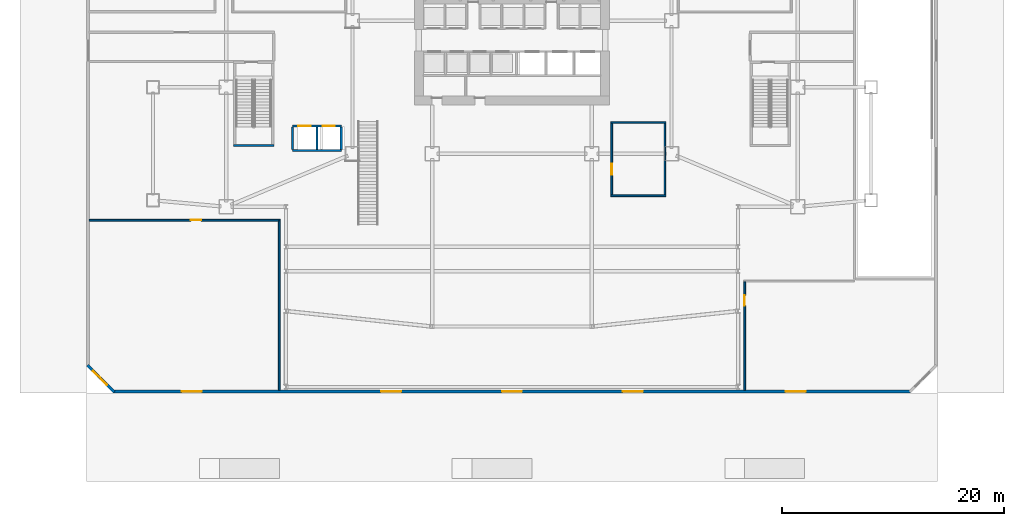
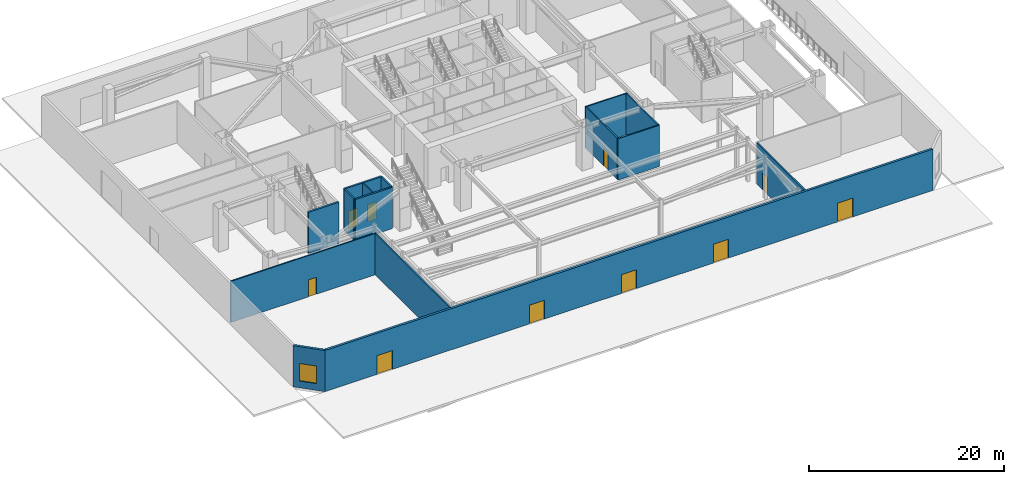
# One storey, part 9 of 20: 15 walls, 10 doors, 1 window, 11 openings.
"""IFC4 building model written with IfcOpenShell, lengths in metres."""

from ifc_helpers import new_model, si_unit, direction, frame, frame_2d, origin, place, context, subcontext, project, spatial, rectangle, extrude, material, layer, layer_set, type_object, element, fill, save


model = new_model("IFC4")

# Units and contexts
model_context = context("Model", 3, precision=1e-05, world=origin(), true_north=direction((0.0, 1.0)))
body_context = subcontext(model_context, "Body", "Model", "MODEL_VIEW")
ifc_project = project(units=[si_unit("LENGTHUNIT", "METRE"), si_unit("AREAUNIT", "SQUARE_METRE"), si_unit("VOLUMEUNIT", "CUBIC_METRE"), si_unit("PLANEANGLEUNIT", "RADIAN"), si_unit("MASSUNIT", "GRAM", prefix="KILO")], contexts=[model_context])

# Site, building, storey
site_placement = place(None, origin())
site = spatial("IfcSite", under=ifc_project, at=site_placement, CompositionType="ELEMENT")
building_placement = place(site_placement, origin())
building = spatial("IfcBuilding", under=site, at=building_placement, Name="Haolan Belvedere Tower", CompositionType="ELEMENT")
storey_placement = place(building_placement, origin())
storey = spatial("IfcBuildingStorey", under=building, at=storey_placement, Name="L00", CompositionType="ELEMENT", Elevation=0.0)

# Wall, opening, window
ifc_material_1 = material(Name="Precast concrete C40/50", Category="concrete")
ifc_layer_1 = layer(ifc_material_1, 0.260009765625, Name="Precast concrete C40/50")
ifc_layer_set_1 = layer_set([ifc_layer_1], Name="Precast concrete C40/50")
wall_type_1 = type_object("IfcWallType", Name="WL-EXT-260", PredefinedType="SOLIDWALL", material=ifc_layer_set_1)
wall_1_placement = place(storey_placement, frame((0.091064453125, 2.49267578125, 0.0), z_axis=(0.0, 0.0, 1.0), x_axis=(0.707106781187, -0.707106781187, 0.0)))
wall_1 = element("IfcWall", 1, at=wall_1_placement, inside=storey, type_object=wall_type_1, Name="L00 pale-metal exterior spandrel wall 5.1", PredefinedType="SOLIDWALL", context=body_context, shape_type="SweptSolid", body=[
    extrude(rectangle(XDim=3.396484375, YDim=0.260009765625, at=frame_2d((1.6982421875, 0.0))), origin(), (0.0, 0.0, 1.0), 5.159912109375),
])
opening_1_placement = place(wall_1_placement, frame((0.699951171875, 0.0, 0.85009765625)))
opening_1 = element("IfcOpeningElement", 2, at=opening_1_placement, cuts=wall_1, Name="Opening W-05", PredefinedType="OPENING", context=body_context, shape_type="SweptSolid", body=[
    extrude(rectangle(XDim=1.800048828125, YDim=2.199951171875, at=frame_2d((0.89990234375, 1.10009765625))), frame((0.0, 0.139892578125, 0.0), z_axis=(0.0, -1.0, 0.0), x_axis=(1.0, 0.0, 0.0)), (0.0, 0.0, 1.0), 0.280029296875),
])
ifc_material_2 = material(Name="Anodised aluminium 6063-T6 and Low-E glass", Category="aluminium")
window_type = type_object("IfcWindowType", Name="WN-POD-210", PartitioningType="SINGLE_PANEL", PredefinedType="WINDOW", material=ifc_material_2)
window_placement = place(opening_1_placement, origin())
window = element("IfcWindow", 3, at=window_placement, inside=storey, type_object=window_type, Name="L00 Art Deco chevron window 1", OverallHeight=2.199951171875, OverallWidth=1.800048828125, PartitioningType="SINGLE_PANEL", PredefinedType="WINDOW", context=body_context, shape_type="SweptSolid", body=[
    extrude(rectangle(XDim=1.800048828125, YDim=2.199951171875, at=frame_2d((0.89990234375, 1.10009765625))), frame((0.0, 0.030029296875, 0.0), z_axis=(0.0, -1.0, 0.0), x_axis=(1.0, 0.0, 0.0)), (0.0, 0.0, 1.0), 0.06005859375),
])
fill(opening_1, window)

# Wall, openings, doors
wall_2_placement = place(storey_placement, frame((2.398681640625, 0.1298828125, 0.0), z_axis=(0.0, 0.0, 1.0), x_axis=(1.0, 0.0, 0.0)))
wall_2 = element("IfcWall", 4, at=wall_2_placement, inside=storey, type_object=wall_type_1, Name="L00 pale-metal exterior spandrel wall 6.1", PredefinedType="SOLIDWALL", context=body_context, shape_type="SweptSolid", body=[
    extrude(rectangle(XDim=72.00244140625, YDim=0.260009765625, at=frame_2d((36.001220703125, 0.0))), origin(), (0.0, 0.0, 1.0), 5.159912109375),
])
opening_2_placement = place(wall_2_placement, frame((26.001220703125, 0.0, 0.0), z_axis=(0.0, 0.0, 1.0), x_axis=(-1.0, 0.0, 0.0)))
opening_2 = element("IfcOpeningElement", 5, at=opening_2_placement, cuts=wall_2, Name="Opening ED-01", PredefinedType="OPENING", context=body_context, shape_type="SweptSolid", body=[
    extrude(rectangle(XDim=1.800048828125, YDim=2.35009765625, at=frame_2d((0.89990234375, 1.175048828125))), frame((0.0, 0.139892578125, 0.0), z_axis=(0.0, -1.0, 0.0), x_axis=(1.0, 0.0, 0.0)), (0.0, 0.0, 1.0), 0.280029296875),
])
opening_3_placement = place(wall_2_placement, frame((36.9013671875, 0.0, 0.0), z_axis=(0.0, 0.0, 1.0), x_axis=(-1.0, 0.0, 0.0)))
opening_3 = element("IfcOpeningElement", 6, at=opening_3_placement, cuts=wall_2, Name="Opening ED-01", PredefinedType="OPENING", context=body_context, shape_type="SweptSolid", body=[
    extrude(rectangle(XDim=1.800048828125, YDim=2.35009765625, at=frame_2d((0.89990234375, 1.175048828125))), frame((0.0, 0.139892578125, 0.0), z_axis=(0.0, -1.0, 0.0), x_axis=(1.0, 0.0, 0.0)), (0.0, 0.0, 1.0), 0.280029296875),
])
opening_4_placement = place(wall_2_placement, frame((47.80126953125, 0.0, 0.0), z_axis=(0.0, 0.0, 1.0), x_axis=(-1.0, 0.0, 0.0)))
opening_4 = element("IfcOpeningElement", 7, at=opening_4_placement, cuts=wall_2, Name="Opening ED-01", PredefinedType="OPENING", context=body_context, shape_type="SweptSolid", body=[
    extrude(rectangle(XDim=1.800048828125, YDim=2.35009765625, at=frame_2d((0.89990234375, 1.175048828125))), frame((0.0, 0.139892578125, 0.0), z_axis=(0.0, -1.0, 0.0), x_axis=(1.0, 0.0, 0.0)), (0.0, 0.0, 1.0), 0.280029296875),
])
opening_5_placement = place(wall_2_placement, frame((8.001220703125, 0.0, 0.0), z_axis=(0.0, 0.0, 1.0), x_axis=(-1.0, 0.0, 0.0)))
opening_5 = element("IfcOpeningElement", 8, at=opening_5_placement, cuts=wall_2, Name="Opening ED-01", PredefinedType="OPENING", context=body_context, shape_type="SweptSolid", body=[
    extrude(rectangle(XDim=1.800048828125, YDim=2.35009765625, at=frame_2d((0.89990234375, 1.175048828125))), frame((0.0, 0.139892578125, 0.0), z_axis=(0.0, -1.0, 0.0), x_axis=(1.0, 0.0, 0.0)), (0.0, 0.0, 1.0), 0.280029296875),
])
opening_6_placement = place(wall_2_placement, frame((62.501220703125, 0.0, 0.0), z_axis=(0.0, 0.0, 1.0), x_axis=(-1.0, 0.0, 0.0)))
opening_6 = element("IfcOpeningElement", 9, at=opening_6_placement, cuts=wall_2, Name="Opening ED-01", PredefinedType="OPENING", context=body_context, shape_type="SweptSolid", body=[
    extrude(rectangle(XDim=1.800048828125, YDim=2.35009765625, at=frame_2d((0.89990234375, 1.175048828125))), frame((0.0, 0.139892578125, 0.0), z_axis=(0.0, -1.0, 0.0), x_axis=(1.0, 0.0, 0.0)), (0.0, 0.0, 1.0), 0.280029296875),
])
ifc_material_3 = material(Name="Anodised aluminium and tempered glass", Category="aluminium")
door_type_1 = type_object("IfcDoorType", Name="DR-EXT-EXIT-1800", OperationType="DOUBLE_DOOR_SINGLE_SWING", PredefinedType="DOOR", material=ifc_material_3)
door_1_placement = place(opening_2_placement, origin())
door_1 = element("IfcDoor", 10, at=door_1_placement, inside=storey, type_object=door_type_1, Name="L00 main south exit door 1", OperationType="DOUBLE_DOOR_SINGLE_SWING", OverallHeight=2.35009765625, OverallWidth=1.800048828125, PredefinedType="DOOR", context=body_context, shape_type="SweptSolid", body=[
    extrude(rectangle(XDim=1.800048828125, YDim=2.35009765625, at=frame_2d((0.89990234375, 1.175048828125))), frame((0.0, 0.02490234375, 0.0), z_axis=(0.0, -1.0, 0.0), x_axis=(1.0, 0.0, 0.0)), (0.0, 0.0, 1.0), 0.050048828125),
])
fill(opening_2, door_1)
door_2_placement = place(opening_3_placement, origin())
door_2 = element("IfcDoor", 11, at=door_2_placement, inside=storey, type_object=door_type_1, Name="L00 main south exit door 2", OperationType="DOUBLE_DOOR_SINGLE_SWING", OverallHeight=2.35009765625, OverallWidth=1.800048828125, PredefinedType="DOOR", context=body_context, shape_type="SweptSolid", body=[
    extrude(rectangle(XDim=1.800048828125, YDim=2.35009765625, at=frame_2d((0.89990234375, 1.175048828125))), frame((0.0, 0.02490234375, 0.0), z_axis=(0.0, -1.0, 0.0), x_axis=(1.0, 0.0, 0.0)), (0.0, 0.0, 1.0), 0.050048828125),
])
fill(opening_3, door_2)
door_3_placement = place(opening_4_placement, origin())
door_3 = element("IfcDoor", 12, at=door_3_placement, inside=storey, type_object=door_type_1, Name="L00 main south exit door 3", OperationType="DOUBLE_DOOR_SINGLE_SWING", OverallHeight=2.35009765625, OverallWidth=1.800048828125, PredefinedType="DOOR", context=body_context, shape_type="SweptSolid", body=[
    extrude(rectangle(XDim=1.800048828125, YDim=2.35009765625, at=frame_2d((0.89990234375, 1.175048828125))), frame((0.0, 0.02490234375, 0.0), z_axis=(0.0, -1.0, 0.0), x_axis=(1.0, 0.0, 0.0)), (0.0, 0.0, 1.0), 0.050048828125),
])
fill(opening_4, door_3)
door_4_placement = place(opening_5_placement, origin())
door_4 = element("IfcDoor", 13, at=door_4_placement, inside=storey, type_object=door_type_1, Name="L00 west retail final exit door", OperationType="DOUBLE_DOOR_SINGLE_SWING", OverallHeight=2.35009765625, OverallWidth=1.800048828125, PredefinedType="DOOR", context=body_context, shape_type="SweptSolid", body=[
    extrude(rectangle(XDim=1.800048828125, YDim=2.35009765625, at=frame_2d((0.89990234375, 1.175048828125))), frame((0.0, 0.02490234375, 0.0), z_axis=(0.0, -1.0, 0.0), x_axis=(1.0, 0.0, 0.0)), (0.0, 0.0, 1.0), 0.050048828125),
])
fill(opening_5, door_4)
door_5_placement = place(opening_6_placement, origin())
door_5 = element("IfcDoor", 14, at=door_5_placement, inside=storey, type_object=door_type_1, Name="L00 east retail final exit door", OperationType="DOUBLE_DOOR_SINGLE_SWING", OverallHeight=2.35009765625, OverallWidth=1.800048828125, PredefinedType="DOOR", context=body_context, shape_type="SweptSolid", body=[
    extrude(rectangle(XDim=1.800048828125, YDim=2.35009765625, at=frame_2d((0.89990234375, 1.175048828125))), frame((0.0, 0.02490234375, 0.0), z_axis=(0.0, -1.0, 0.0), x_axis=(1.0, 0.0, 0.0)), (0.0, 0.0, 1.0), 0.050048828125),
])
fill(opening_6, door_5)

# Wall, opening, door
ifc_material_4 = material(Name="Double gypsum acoustic stud partition", Category="masonry")
ifc_layer_2 = layer(ifc_material_4, 0.14990234375, Name="Double gypsum acoustic stud partition")
ifc_layer_set_2 = layer_set([ifc_layer_2], Name="Double gypsum acoustic stud partition")
wall_type_2 = type_object("IfcWallType", Name="WL-PART-150", PredefinedType="PARTITIONING", material=ifc_layer_set_2)
wall_3_placement = place(storey_placement, frame((0.2451171875, 15.60009765625, 0.0), z_axis=(0.0, 0.0, 1.0), x_axis=(1.0, 0.0, 0.0)))
wall_3 = element("IfcWall", 15, at=wall_3_placement, inside=storey, type_object=wall_type_2, Name="L00 interior partition IW-L00-RET-W-N", PredefinedType="PARTITIONING", context=body_context, shape_type="SweptSolid", body=[
    extrude(rectangle(XDim=17.23486328125, YDim=0.14990234375, at=frame_2d((8.617431640625, 0.0))), origin(), (0.0, 0.0, 1.0), 5.159912109375),
])
opening_7_placement = place(wall_3_placement, frame((10.125, 0.0, 0.0), z_axis=(0.0, 0.0, 1.0), x_axis=(-1.0, 0.0, 0.0)))
opening_7 = element("IfcOpeningElement", 16, at=opening_7_placement, cuts=wall_3, Name="Opening ID-03", PredefinedType="OPENING", context=body_context, shape_type="SweptSolid", body=[
    extrude(rectangle(XDim=0.949951171875, YDim=2.1201171875, at=frame_2d((0.47509765625, 1.06005859375))), frame((0.0, 0.0849609375, 0.0), z_axis=(0.0, -1.0, 0.0), x_axis=(1.0, 0.0, 0.0)), (0.0, 0.0, 1.0), 0.169921875),
])
ifc_material_5 = material(Name="Painted solid-core timber", Category="wood")
door_type_2 = type_object("IfcDoorType", Name="DR-INT-950", OperationType="NOTDEFINED", PredefinedType="DOOR", material=ifc_material_5)
door_6_placement = place(opening_7_placement, origin())
door_6 = element("IfcDoor", 17, at=door_6_placement, inside=storey, type_object=door_type_2, Name="L00 door ID-L00-RET-W", OperationType="SINGLE_SWING_LEFT", OverallHeight=2.1201171875, OverallWidth=0.949951171875, PredefinedType="DOOR", context=body_context, shape_type="SweptSolid", body=[
    extrude(rectangle(XDim=0.949951171875, YDim=2.1201171875, at=frame_2d((0.47509765625, 1.06005859375))), frame((0.0, 0.02490234375, 0.0), z_axis=(0.0, -1.0, 0.0), x_axis=(1.0, 0.0, 0.0)), (0.0, 0.0, 1.0), 0.050048828125),
])
fill(opening_7, door_6)

# Wall
wall_4_placement = place(storey_placement, frame((17.39990234375, 0.2451171875, 0.0), z_axis=(0.0, 0.0, 1.0), x_axis=(0.0, 1.0, 0.0)))
element("IfcWall", 18, at=wall_4_placement, inside=storey, type_object=wall_type_2, Name="L00 interior partition IW-L00-RET-W-E", PredefinedType="PARTITIONING", context=body_context, shape_type="SweptSolid", body=[
    extrude(rectangle(XDim=15.294921875, YDim=0.14990234375, at=frame_2d((7.6474609375, 0.0))), origin(), (0.0, 0.0, 1.0), 5.159912109375),
])

# Wall, opening, door
wall_5_placement = place(storey_placement, frame((59.39990234375, 0.2451171875, 0.0), z_axis=(0.0, 0.0, 1.0), x_axis=(0.0, 1.0, 0.0)))
wall_5 = element("IfcWall", 19, at=wall_5_placement, inside=storey, type_object=wall_type_2, Name="L00 interior partition IW-L00-RET-E-W", PredefinedType="PARTITIONING", context=body_context, shape_type="SweptSolid", body=[
    extrude(rectangle(XDim=9.794921875, YDim=0.14990234375, at=frame_2d((4.8974609375, 0.0))), origin(), (0.0, 0.0, 1.0), 5.159912109375),
])
opening_8_placement = place(wall_5_placement, frame((7.619384765625, 0.0, 0.0)))
opening_8 = element("IfcOpeningElement", 20, at=opening_8_placement, cuts=wall_5, Name="Opening ID-03", PredefinedType="OPENING", context=body_context, shape_type="SweptSolid", body=[
    extrude(rectangle(XDim=0.949951171875, YDim=2.1201171875, at=frame_2d((0.47509765625, 1.06005859375))), frame((0.0, 0.0849609375, 0.0), z_axis=(0.0, -1.0, 0.0), x_axis=(1.0, 0.0, 0.0)), (0.0, 0.0, 1.0), 0.169921875),
])
door_7_placement = place(opening_8_placement, origin())
door_7 = element("IfcDoor", 21, at=door_7_placement, inside=storey, type_object=door_type_2, Name="L00 door ID-L00-RET-E", OperationType="SINGLE_SWING_RIGHT", OverallHeight=2.1201171875, OverallWidth=0.949951171875, PredefinedType="DOOR", context=body_context, shape_type="SweptSolid", body=[
    extrude(rectangle(XDim=0.949951171875, YDim=2.1201171875, at=frame_2d((0.47509765625, 1.06005859375))), frame((0.0, 0.02490234375, 0.0), z_axis=(0.0, -1.0, 0.0), x_axis=(1.0, 0.0, 0.0)), (0.0, 0.0, 1.0), 0.050048828125),
])
fill(opening_8, door_7)

# Walls
for number, where, z_axis, x_axis, name in (
    (22, (47.320068359375, 24.39990234375, 0.0), (0.0, 0.0, 1.0), (1.0, 0.0, 0.0), "L00 interior partition IW-L00-LUG-N"),
    (23, (47.320068359375, 17.800048828125, 0.0), (0.0, 0.0, 1.0), (1.0, 0.0, 0.0), "L00 interior partition IW-L00-LUG-S"),
):
    element("IfcWall", number, at=place(storey_placement, frame(where, z_axis=z_axis, x_axis=x_axis)), inside=storey, type_object=wall_type_2, Name=name, PredefinedType="PARTITIONING", context=body_context, shape_type="SweptSolid", body=[
        extrude(rectangle(XDim=4.9599609375, YDim=0.14990234375, at=frame_2d((2.47998046875, 0.0))), origin(), (0.0, 0.0, 1.0), 5.159912109375),
    ])

# Wall, opening, door
wall_6_placement = place(storey_placement, frame((47.39990234375, 17.860107421875, 0.0), z_axis=(0.0, 0.0, 1.0), x_axis=(0.0, 1.0, 0.0)))
wall_6 = element("IfcWall", 24, at=wall_6_placement, inside=storey, type_object=wall_type_2, Name="L00 interior partition IW-L00-LUG-W", PredefinedType="PARTITIONING", context=body_context, shape_type="SweptSolid", body=[
    extrude(rectangle(XDim=6.47998046875, YDim=0.14990234375, at=frame_2d((3.239990234375, 0.0))), origin(), (0.0, 0.0, 1.0), 5.159912109375),
])
opening_9_placement = place(wall_6_placement, frame((1.860107421875, 0.0, 0.0)))
opening_9 = element("IfcOpeningElement", 25, at=opening_9_placement, cuts=wall_6, Name="Opening ID-03", PredefinedType="OPENING", context=body_context, shape_type="SweptSolid", body=[
    extrude(rectangle(XDim=0.949951171875, YDim=2.1201171875, at=frame_2d((0.47509765625, 1.06005859375))), frame((0.0, 0.0849609375, 0.0), z_axis=(0.0, -1.0, 0.0), x_axis=(1.0, 0.0, 0.0)), (0.0, 0.0, 1.0), 0.169921875),
])
door_8_placement = place(opening_9_placement, origin())
door_8 = element("IfcDoor", 26, at=door_8_placement, inside=storey, type_object=door_type_2, Name="L00 door ID-L00-LUG", OperationType="SINGLE_SWING_LEFT", OverallHeight=2.1201171875, OverallWidth=0.949951171875, PredefinedType="DOOR", context=body_context, shape_type="SweptSolid", body=[
    extrude(rectangle(XDim=0.949951171875, YDim=2.1201171875, at=frame_2d((0.47509765625, 1.06005859375))), frame((0.0, 0.02490234375, 0.0), z_axis=(0.0, -1.0, 0.0), x_axis=(1.0, 0.0, 0.0)), (0.0, 0.0, 1.0), 0.050048828125),
])
fill(opening_9, door_8)

# Walls
wall_7_placement = place(storey_placement, frame((52.199951171875, 17.860107421875, 0.0), z_axis=(0.0, 0.0, 1.0), x_axis=(0.0, 1.0, 0.0)))
element("IfcWall", 27, at=wall_7_placement, inside=storey, type_object=wall_type_2, Name="L00 interior partition IW-L00-LUG-E", PredefinedType="PARTITIONING", context=body_context, shape_type="SweptSolid", body=[
    extrude(rectangle(XDim=6.47998046875, YDim=0.14990234375, at=frame_2d((3.239990234375, 0.0))), origin(), (0.0, 0.0, 1.0), 5.159912109375),
])
ifc_material_6 = material(Name="Gypsum fire shaftwall assembly", Category="masonry")
ifc_layer_3 = layer(ifc_material_6, 0.1650390625, Name="Gypsum fire shaftwall assembly")
ifc_layer_set_3 = layer_set([ifc_layer_3], Name="Gypsum fire shaftwall assembly")
wall_type_3 = type_object("IfcWallType", Name="WL-SHAFT-160", PredefinedType="SOLIDWALL", material=ifc_layer_set_3)
wall_8_placement = place(storey_placement, frame((20.800048828125, 22.0, 0.0), z_axis=(0.0, 0.0, 1.0), x_axis=(0.0, 1.0, 0.0)))
element("IfcWall", 28, at=wall_8_placement, inside=storey, type_object=wall_type_3, Name="L00 interior partition IW-L00-PB-M", PredefinedType="SOLIDWALL", context=body_context, shape_type="SweptSolid", body=[
    extrude(rectangle(XDim=2.0, YDim=0.159912109375, at=frame_2d((1.0, 0.0))), origin(), (0.0, 0.0, 1.0), 5.159912109375),
])

# Wall, openings, doors
ifc_layer_4 = layer(ifc_material_1, 0.205078125, Name="Precast concrete C40/50")
ifc_layer_set_4 = layer_set([ifc_layer_4], Name="Precast concrete C40/50")
wall_type_4 = type_object("IfcWallType", Name="WL-SHAFT-200", PredefinedType="SOLIDWALL", material=ifc_layer_set_4)
wall_9_placement = place(storey_placement, frame((18.60009765625, 24.10009765625, 0.0), z_axis=(0.0, 0.0, 1.0), x_axis=(1.0, 0.0, 0.0)))
wall_9 = element("IfcWall", 29, at=wall_9_placement, inside=storey, type_object=wall_type_4, Name="L00 interior partition IW-L00-PB-N", PredefinedType="SOLIDWALL", context=body_context, shape_type="SweptSolid", body=[
    extrude(rectangle(XDim=4.39990234375, YDim=0.199951171875, at=frame_2d((2.199951171875, 0.0))), origin(), (0.0, 0.0, 1.0), 5.159912109375),
])
opening_10_placement = place(wall_9_placement, frame((0.52001953125, 0.0, 0.0)))
opening_10 = element("IfcOpeningElement", 30, at=opening_10_placement, cuts=wall_9, Name="Opening LD-01", PredefinedType="OPENING", context=body_context, shape_type="SweptSolid", body=[
    extrude(rectangle(XDim=1.10009765625, YDim=2.199951171875, at=frame_2d((0.550048828125, 1.10009765625))), frame((0.0, 0.10986328125, 0.0), z_axis=(0.0, -1.0, 0.0), x_axis=(1.0, 0.0, 0.0)), (0.0, 0.0, 1.0), 0.219970703125),
])
opening_11_placement = place(wall_9_placement, frame((2.719970703125, 0.0, 0.0)))
opening_11 = element("IfcOpeningElement", 31, at=opening_11_placement, cuts=wall_9, Name="Opening LD-01", PredefinedType="OPENING", context=body_context, shape_type="SweptSolid", body=[
    extrude(rectangle(XDim=1.10009765625, YDim=2.199951171875, at=frame_2d((0.550048828125, 1.10009765625))), frame((0.0, 0.10986328125, 0.0), z_axis=(0.0, -1.0, 0.0), x_axis=(1.0, 0.0, 0.0)), (0.0, 0.0, 1.0), 0.219970703125),
])
ifc_material_7 = material(Name="Brushed champagne stainless steel 316L", Category="steel")
door_type_3 = type_object("IfcDoorType", Name="DR-LIFT-1100", OperationType="SLIDING_TO_LEFT", PredefinedType="DOOR", material=ifc_material_7)
door_9_placement = place(opening_10_placement, origin())
door_9 = element("IfcDoor", 32, at=door_9_placement, inside=storey, type_object=door_type_3, Name="L00 door ID-L00-LD-PB1", OperationType="SLIDING_TO_LEFT", OverallHeight=2.199951171875, OverallWidth=1.10009765625, PredefinedType="DOOR", context=body_context, shape_type="SweptSolid", body=[
    extrude(rectangle(XDim=1.10009765625, YDim=2.199951171875, at=frame_2d((0.550048828125, 1.10009765625))), frame((0.0, 0.02490234375, 0.0), z_axis=(0.0, -1.0, 0.0), x_axis=(1.0, 0.0, 0.0)), (0.0, 0.0, 1.0), 0.050048828125),
])
fill(opening_10, door_9)
door_10_placement = place(opening_11_placement, origin())
door_10 = element("IfcDoor", 33, at=door_10_placement, inside=storey, type_object=door_type_3, Name="L00 door ID-L00-LD-PB2", OperationType="SLIDING_TO_LEFT", OverallHeight=2.199951171875, OverallWidth=1.10009765625, PredefinedType="DOOR", context=body_context, shape_type="SweptSolid", body=[
    extrude(rectangle(XDim=1.10009765625, YDim=2.199951171875, at=frame_2d((0.550048828125, 1.10009765625))), frame((0.0, 0.02490234375, 0.0), z_axis=(0.0, -1.0, 0.0), x_axis=(1.0, 0.0, 0.0)), (0.0, 0.0, 1.0), 0.050048828125),
])
fill(opening_11, door_10)

# Walls
wall_10_placement = place(storey_placement, frame((18.60009765625, 21.89990234375, 0.0), z_axis=(0.0, 0.0, 1.0), x_axis=(1.0, 0.0, 0.0)))
element("IfcWall", 34, at=wall_10_placement, inside=storey, type_object=wall_type_4, Name="L00 interior partition IW-L00-PB-S", PredefinedType="SOLIDWALL", context=body_context, shape_type="SweptSolid", body=[
    extrude(rectangle(XDim=4.39990234375, YDim=0.199951171875, at=frame_2d((2.199951171875, 0.0))), origin(), (0.0, 0.0, 1.0), 5.159912109375),
])
for number, where, z_axis, x_axis, name in (
    (35, (18.60009765625, 22.0, 0.0), (0.0, 0.0, 1.0), (0.0, 1.0, 0.0), "L00 interior partition IW-L00-PB-W"),
    (36, (23.0, 22.0, 0.0), (0.0, 0.0, 1.0), (0.0, 1.0, 0.0), "L00 interior partition IW-L00-PB-E"),
):
    element("IfcWall", number, at=place(storey_placement, frame(where, z_axis=z_axis, x_axis=x_axis)), inside=storey, type_object=wall_type_4, Name=name, PredefinedType="SOLIDWALL", context=body_context, shape_type="SweptSolid", body=[
        extrude(rectangle(XDim=2.0, YDim=0.199951171875, at=frame_2d((1.0, 0.0))), origin(), (0.0, 0.0, 1.0), 5.159912109375),
    ])
ifc_material_8 = material(Name="Concrete C50/60", Category="concrete")
ifc_layer_5 = layer(ifc_material_8, 0.219970703125, Name="Concrete C50/60")
ifc_layer_set_5 = layer_set([ifc_layer_5], Name="Concrete C50/60")
wall_type_5 = type_object("IfcWallType", Name="WL-STAIR-220", PredefinedType="SHEAR", material=ifc_layer_set_5)
wall_11_placement = place(storey_placement, frame((13.280029296875, 22.340087890625, 0.0), z_axis=(0.0, 0.0, 1.0), x_axis=(1.0, 0.0, 0.0)))
element("IfcWall", 37, at=wall_11_placement, inside=storey, type_object=wall_type_5, Name="L00 podium stair ST4 structural shaft wall S", PredefinedType="SHEAR", context=body_context, shape_type="SweptSolid", body=[
    extrude(rectangle(XDim=3.619873046875, YDim=0.219970703125, at=frame_2d((1.81005859375, 0.0))), origin(), (0.0, 0.0, 1.0), 5.159912109375),
])

save(model, "model.ifc")
